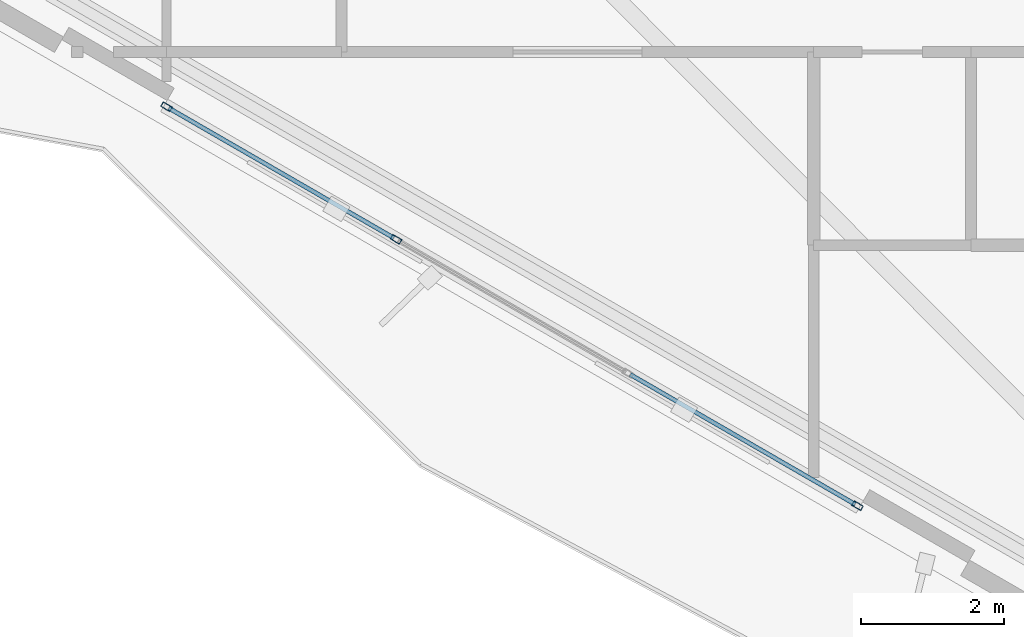
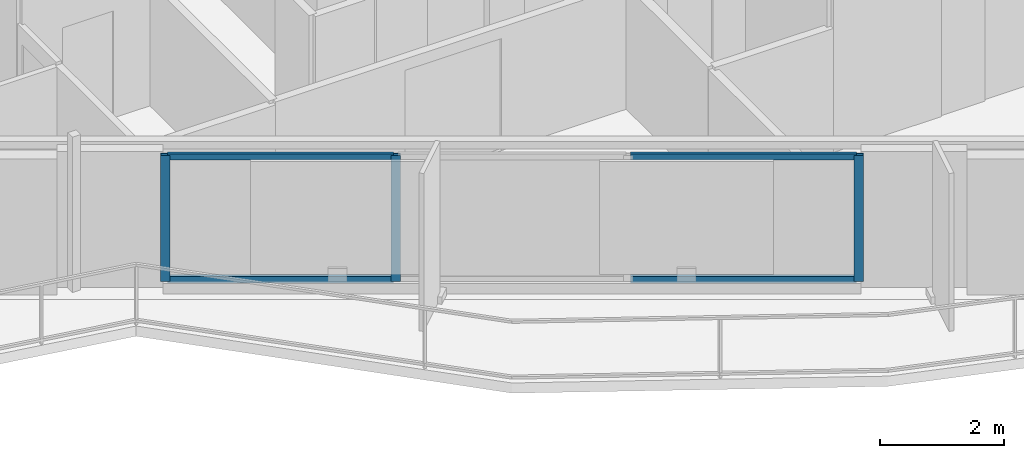
# One storey, part 2 of 23: 7 members, 1 element without a shape of its own.
"""IFC4 building model written with IfcOpenShell, lengths in metres."""

from ifc_helpers import new_model, si_unit, direction, frame, origin, origin_2d, place, context, subcontext, project, spatial, hollow_rectangle, extrude, material, layer, layer_set, material_profile, profile_set, type_object, element, aggregate, save


model = new_model("IFC4")

# Units and contexts
model_context = context("Model", 3, precision=1e-05, world=origin(), true_north=direction((0.0, 1.0)))
body_context = subcontext(model_context, "Body", "Model", "MODEL_VIEW")
ifc_project = project(units=[si_unit("LENGTHUNIT", "METRE"), si_unit("AREAUNIT", "SQUARE_METRE"), si_unit("VOLUMEUNIT", "CUBIC_METRE"), si_unit("PLANEANGLEUNIT", "RADIAN"), si_unit("MASSUNIT", "GRAM", prefix="KILO")], contexts=[model_context])

# Site, building, storey
site_placement = place(None, origin())
site = spatial("IfcSite", under=ifc_project, at=site_placement, CompositionType="ELEMENT")
building_placement = place(site_placement, origin())
building = spatial("IfcBuilding", under=site, at=building_placement, Name="Mersakhor Tower and Convention Hall", CompositionType="ELEMENT")
storey_placement = place(building_placement, frame((0.0, 0.0, 106.5)))
storey = spatial("IfcBuildingStorey", under=building, at=storey_placement, Name="L29", CompositionType="ELEMENT", Elevation=106.5)

# Curtain wall, members
ifc_material_1 = material(Name="Dark solar low-E aluminium curtain wall", Category="aluminium")
ifc_layer = layer(ifc_material_1, 0.159912109375)
ifc_layer_set = layer_set([ifc_layer], Name="Dark solar low-E aluminium curtain wall")
curtain_wall_type = type_object("IfcCurtainWallType", Name="CW-SYS-01", PredefinedType="USERDEFINED", material=ifc_layer_set)
curtain_wall_placement = place(storey_placement, origin())
curtain_wall = element("IfcCurtainWall", 1, at=curtain_wall_placement, inside=storey, type_object=curtain_wall_type, Name="L29 Dark-Glass Curtain Wall F3-B2", ObjectType="CURTAIN WALL", PredefinedType="USERDEFINED")
ifc_material_2 = material(Name="Anodised aluminium EN AW-6063 T6", Category="aluminium")
ifc_material_profile_1 = material_profile(ifc_material_2, hollow_rectangle(XDim=0.074951171875, YDim=0.14990234375, WallThickness=0.00634765625, at=origin_2d()), Name="RHS 150x75x6.3")
ifc_profile_set_1 = profile_set([ifc_material_profile_1], Name="Anodised aluminium EN AW-6063 T6")
member_type_1 = type_object("IfcMemberType", Name="CWM-150x75", PredefinedType="MULLION", material=ifc_profile_set_1)
member_1_placement = place(storey_placement, frame((26.812744140625, 11.80712890625, 0.199951171875), z_axis=(0.0, 0.0, 1.0), x_axis=(-0.499997904985, -0.866026613339, 0.0)))
member_1 = element("IfcMember", 2, at=member_1_placement, type_object=member_type_1, Name="CW-01 mullion 1", PredefinedType="MULLION", context=body_context, shape_type="SweptSolid", body=[
    extrude(hollow_rectangle(XDim=0.074951171875, YDim=0.14990234375, WallThickness=0.00634765625, at=origin_2d()), origin(), (0.0, 0.0, 1.0), 2.469970703125),
])
member_2_placement = place(storey_placement, frame((20.36181640625, 15.531494140625, 0.199951171875), z_axis=(0.0, 0.0, 1.0), x_axis=(-0.499997904985, -0.866026613339, 0.0)))
member_2 = element("IfcMember", 3, at=member_2_placement, type_object=member_type_1, Name="CW-01 mullion 3", PredefinedType="MULLION", context=body_context, shape_type="SweptSolid", body=[
    extrude(hollow_rectangle(XDim=0.074951171875, YDim=0.14990234375, WallThickness=0.00634765625, at=origin_2d()), origin(), (0.0, 0.0, 1.0), 2.469970703125),
])
member_3_placement = place(storey_placement, frame((17.152587890625, 17.38427734375, 0.199951171875), z_axis=(0.0, 0.0, 1.0), x_axis=(-0.499997904985, -0.866026613339, 0.0)))
member_3 = element("IfcMember", 4, at=member_3_placement, type_object=member_type_1, Name="CW-01 mullion 4", PredefinedType="MULLION", context=body_context, shape_type="SweptSolid", body=[
    extrude(hollow_rectangle(XDim=0.074951171875, YDim=0.14990234375, WallThickness=0.00634765625, at=origin_2d()), origin(), (0.0, 0.0, 1.0), 2.469970703125),
])
ifc_material_3 = material(Name="Anodised aluminium EN AW-6063 T6", Category="aluminium")
ifc_material_profile_2 = material_profile(ifc_material_3, hollow_rectangle(XDim=0.06005859375, YDim=0.1201171875, WallThickness=0.0048828125, at=origin_2d()), Name="RHS 120x60x5")
ifc_profile_set_2 = profile_set([ifc_material_profile_2], Name="Anodised aluminium EN AW-6063 T6")
member_type_2 = type_object("IfcMemberType", Name="CWT-120x60", PredefinedType="USERDEFINED", material=ifc_profile_set_2)
member_4_placement = place(storey_placement, frame((26.7802734375, 11.82568359375, 0.22998046875), z_axis=(-0.866016497289, 0.500015426185, 0.0), x_axis=(-0.500015426185, -0.866016497289, 0.0)))
member_4 = element("IfcMember", 5, at=member_4_placement, type_object=member_type_2, Name="CW-01 transom 1.1", ObjectType="TRANSOM", PredefinedType="USERDEFINED", context=body_context, shape_type="SweptSolid", body=[
    extrude(hollow_rectangle(XDim=0.06005859375, YDim=0.1201171875, WallThickness=0.0048828125, at=origin_2d()), origin(), (0.0, 0.0, 1.0), 3.630859375),
])
member_5_placement = place(storey_placement, frame((26.7802734375, 11.82568359375, 2.639892578125), z_axis=(-0.866016497289, 0.500015426185, 0.0), x_axis=(-0.500015426185, -0.866016497289, 0.0)))
member_5 = element("IfcMember", 6, at=member_5_placement, type_object=member_type_2, Name="CW-01 transom 1.2", ObjectType="TRANSOM", PredefinedType="USERDEFINED", context=body_context, shape_type="SweptSolid", body=[
    extrude(hollow_rectangle(XDim=0.06005859375, YDim=0.1201171875, WallThickness=0.0048828125, at=origin_2d()), origin(), (0.0, 0.0, 1.0), 3.630859375),
])
member_6_placement = place(storey_placement, frame((20.329345703125, 15.55029296875, 0.22998046875), z_axis=(-0.866045614266, 0.499964992784, 0.0), x_axis=(-0.499964992784, -0.866045614266, 0.0)))
member_6 = element("IfcMember", 7, at=member_6_placement, type_object=member_type_2, Name="CW-01 transom 3.1", ObjectType="TRANSOM", PredefinedType="USERDEFINED", context=body_context, shape_type="SweptSolid", body=[
    extrude(hollow_rectangle(XDim=0.06005859375, YDim=0.1201171875, WallThickness=0.0048828125, at=origin_2d()), origin(), (0.0, 0.0, 1.0), 3.630615234375),
])
member_7_placement = place(storey_placement, frame((20.329345703125, 15.55029296875, 2.639892578125), z_axis=(-0.866045614266, 0.499964992784, 0.0), x_axis=(-0.499964992784, -0.866045614266, 0.0)))
member_7 = element("IfcMember", 8, at=member_7_placement, type_object=member_type_2, Name="CW-01 transom 3.2", ObjectType="TRANSOM", PredefinedType="USERDEFINED", context=body_context, shape_type="SweptSolid", body=[
    extrude(hollow_rectangle(XDim=0.06005859375, YDim=0.1201171875, WallThickness=0.0048828125, at=origin_2d()), origin(), (0.0, 0.0, 1.0), 3.630615234375),
])
aggregate(curtain_wall, [member_1, member_2, member_3, member_4, member_5, member_6, member_7])

save(model, "model.ifc")
